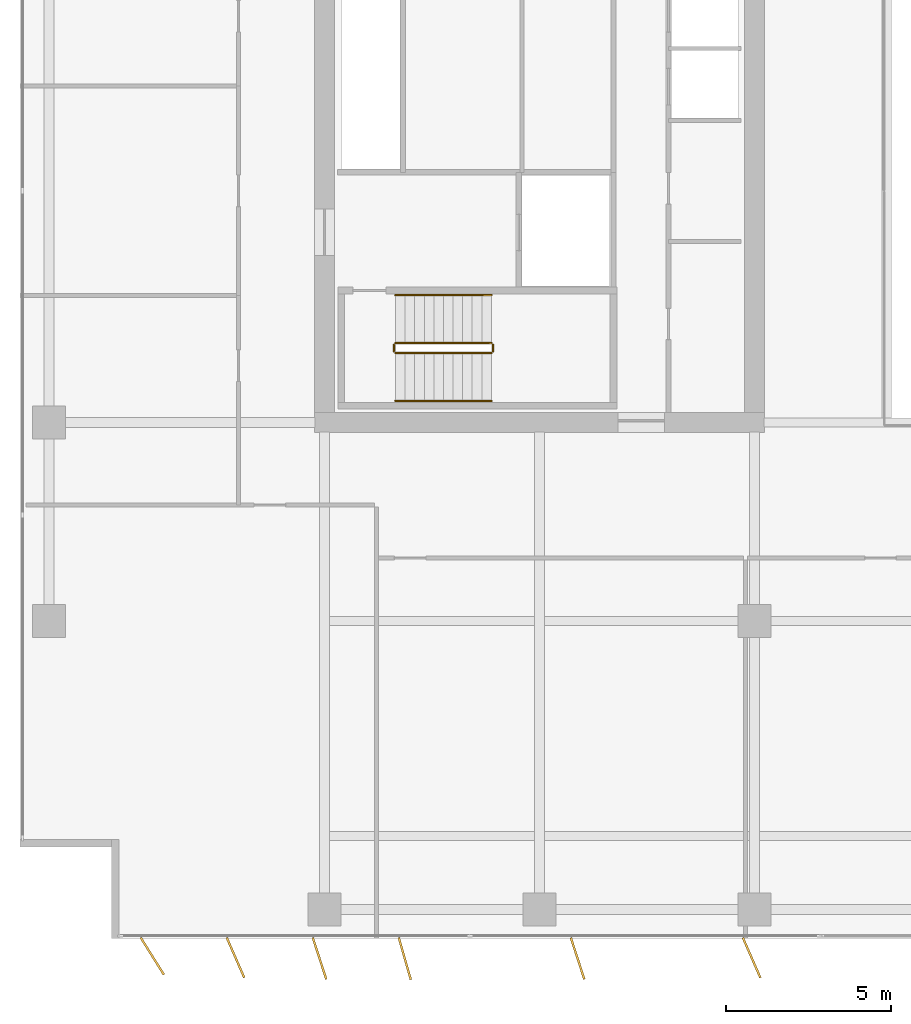
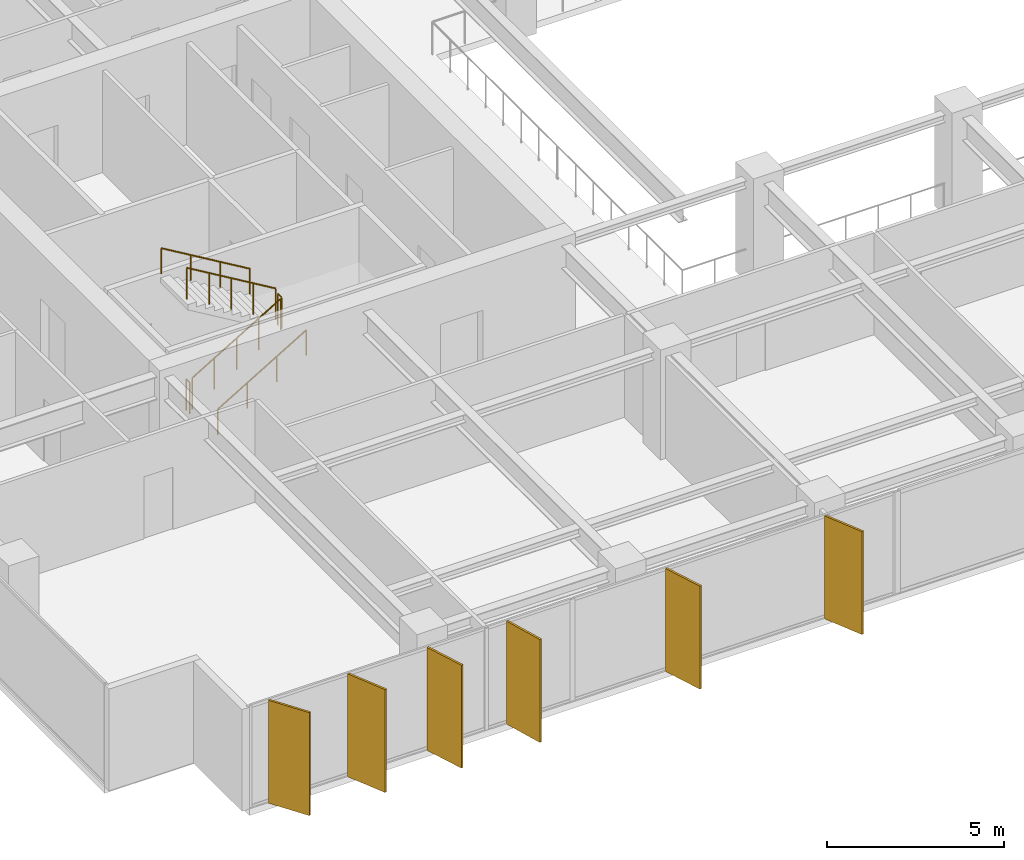
# One storey, part 19 of 22: 6 railings, 6 shading devices.
"""IFC4 building model written with IfcOpenShell, lengths in metres."""

from ifc_helpers import new_model, si_unit, direction, frame, origin, origin_2d, place, context, subcontext, project, spatial, rectangle, circle, extrude, material, layer, layer_set, type_object, element, save


model = new_model("IFC4")

# Units and contexts
model_context = context("Model", 3, precision=1e-05, world=origin(), true_north=direction((0.0, 1.0)))
body_context = subcontext(model_context, "Body", "Model", "MODEL_VIEW")
ifc_project = project(units=[si_unit("LENGTHUNIT", "METRE"), si_unit("AREAUNIT", "SQUARE_METRE"), si_unit("VOLUMEUNIT", "CUBIC_METRE"), si_unit("PLANEANGLEUNIT", "RADIAN"), si_unit("MASSUNIT", "GRAM", prefix="KILO")], contexts=[model_context])

# Site, building, storey
site_placement = place(None, origin())
site = spatial("IfcSite", under=ifc_project, at=site_placement, CompositionType="ELEMENT")
building_placement = place(site_placement, origin())
building = spatial("IfcBuilding", under=site, at=building_placement, Name="Putna Gate Headquarters", CompositionType="ELEMENT")
storey_placement = place(building_placement, frame((0.0, 0.0, 193.60009765625)))
storey = spatial("IfcBuildingStorey", under=building, at=storey_placement, Name="L48", CompositionType="ELEMENT", Elevation=193.60009765625)

# Railings
ifc_material_1 = material(Name="Powder-coated steel stair guardrail", Category="steel")
railing_type_1 = type_object("IfcRailingType", Name="RAIL-STAIR-GUARD-1100", PredefinedType="GUARDRAIL", material=ifc_material_1)
railing_1_placement = place(storey_placement, frame((15.14990234375, 21.10009765625, 0.172607421875)))
element("IfcRailing", 1, at=railing_1_placement, inside=storey, type_object=railing_type_1, Name="L48 ST1 stair guard 1", PredefinedType="GUARDRAIL", context=body_context, shape_type="SweptSolid", body=[
    extrude(circle(Radius=0.02392578125, at=origin_2d()), frame((0.0, 0.0, 1.076171875), z_axis=(0.859160404282, 0.0, 0.51170636083), x_axis=(0.0, 1.0, 0.0)), (0.0, 0.0, 1.0), 3.37548828125),
    extrude(circle(Radius=0.02099609375, at=origin_2d()), origin(), (0.0, 0.0, 1.0), 1.052001953125),
    extrude(circle(Radius=0.02099609375, at=origin_2d()), frame((0.72509765625, 0.0, 0.431884765625)), (0.0, 0.0, 1.0), 1.052001953125),
    extrude(circle(Radius=0.02099609375, at=origin_2d()), frame((1.4501953125, 0.0, 0.86376953125)), (0.0, 0.0, 1.0), 1.052001953125),
    extrude(circle(Radius=0.02099609375, at=origin_2d()), frame((2.175048828125, 0.0, 1.29541015625)), (0.0, 0.0, 1.0), 1.052001953125),
    extrude(circle(Radius=0.02099609375, at=origin_2d()), frame((2.900146484375, 0.0, 1.727294921875)), (0.0, 0.0, 1.0), 1.052001953125),
])
railing_2_placement = place(storey_placement, frame((18.10009765625, 21.14990234375, 1.89990234375)))
element("IfcRailing", 2, at=railing_2_placement, inside=storey, type_object=railing_type_1, Name="L48 ST1 stair guard 2", PredefinedType="GUARDRAIL", context=body_context, shape_type="SweptSolid", body=[
    extrude(circle(Radius=0.02392578125, at=origin_2d()), frame((0.0, 0.0, 1.076171875), z_axis=(0.0, 1.0, 0.0), x_axis=(-1.0, 0.0, 0.0)), (0.0, 0.0, 1.0), 0.2001953125),
    extrude(circle(Radius=0.02099609375, at=origin_2d()), origin(), (0.0, 0.0, 1.0), 1.052001953125),
    extrude(circle(Radius=0.02099609375, at=origin_2d()), frame((0.0, 0.2001953125, 0.0)), (0.0, 0.0, 1.0), 1.052001953125),
])
railing_3_placement = place(storey_placement, frame((18.050048828125, 21.39990234375, 2.072509765625)))
element("IfcRailing", 3, at=railing_3_placement, inside=storey, type_object=railing_type_1, Name="L48 ST1 stair guard 3", PredefinedType="GUARDRAIL", context=body_context, shape_type="SweptSolid", body=[
    extrude(circle(Radius=0.02392578125, at=origin_2d()), frame((0.0, 0.0, 1.076171875), z_axis=(-0.859160404282, 0.0, 0.51170636083), x_axis=(0.0, -1.0, 0.0)), (0.0, 0.0, 1.0), 3.37548828125),
    extrude(circle(Radius=0.02099609375, at=origin_2d()), origin(), (0.0, 0.0, 1.0), 1.052001953125),
    extrude(circle(Radius=0.02099609375, at=origin_2d()), frame((-0.72509765625, 0.0, 0.431884765625)), (0.0, 0.0, 1.0), 1.052001953125),
    extrude(circle(Radius=0.02099609375, at=origin_2d()), frame((-1.4501953125, 0.0, 0.86376953125)), (0.0, 0.0, 1.0), 1.052001953125),
    extrude(circle(Radius=0.02099609375, at=origin_2d()), frame((-2.175048828125, 0.0, 1.29541015625)), (0.0, 0.0, 1.0), 1.052001953125),
    extrude(circle(Radius=0.02099609375, at=origin_2d()), frame((-2.900146484375, 0.0, 1.727294921875)), (0.0, 0.0, 1.0), 1.052001953125),
])
railing_4_placement = place(storey_placement, frame((15.10009765625, 21.14990234375, 0.0)))
element("IfcRailing", 4, at=railing_4_placement, inside=storey, type_object=railing_type_1, Name="L48 ST1 stair guard 4", PredefinedType="GUARDRAIL", context=body_context, shape_type="SweptSolid", body=[
    extrude(circle(Radius=0.02392578125, at=origin_2d()), frame((0.0, 0.0, 1.076171875), z_axis=(0.0, 1.0, 0.0), x_axis=(-1.0, 0.0, 0.0)), (0.0, 0.0, 1.0), 0.2001953125),
    extrude(circle(Radius=0.02099609375, at=origin_2d()), origin(), (0.0, 0.0, 1.0), 1.052001953125),
    extrude(circle(Radius=0.02099609375, at=origin_2d()), frame((0.0, 0.2001953125, 0.0)), (0.0, 0.0, 1.0), 1.052001953125),
])
ifc_material_2 = material(Name="Brushed stainless steel handrail", Category="steel")
railing_type_2 = type_object("IfcRailingType", Name="RAIL-STAIR-HAND-900", PredefinedType="HANDRAIL", material=ifc_material_2)
railing_5_placement = place(storey_placement, frame((15.14990234375, 19.64990234375, 0.172607421875)))
element("IfcRailing", 5, at=railing_5_placement, inside=storey, type_object=railing_type_2, Name="L48 ST1 stair handrail 1", PredefinedType="HANDRAIL", context=body_context, shape_type="SweptSolid", body=[
    extrude(circle(Radius=0.02392578125, at=origin_2d()), frame((0.0, 0.0, 0.8759765625), z_axis=(0.859160404282, 0.0, 0.51170636083), x_axis=(0.0, 1.0, 0.0)), (0.0, 0.0, 1.0), 3.37548828125),
    extrude(circle(Radius=0.02099609375, at=origin_2d()), origin(), (0.0, 0.0, 1.0), 0.851806640625),
    extrude(circle(Radius=0.02099609375, at=origin_2d()), frame((0.966796875, 0.0, 0.57568359375)), (0.0, 0.0, 1.0), 0.851806640625),
    extrude(circle(Radius=0.02099609375, at=origin_2d()), frame((1.933349609375, 0.0, 1.151611328125)), (0.0, 0.0, 1.0), 0.851806640625),
    extrude(circle(Radius=0.02099609375, at=origin_2d()), frame((2.900146484375, 0.0, 1.727294921875)), (0.0, 0.0, 1.0), 0.851806640625),
])
railing_6_placement = place(storey_placement, frame((18.050048828125, 22.85009765625, 2.072509765625)))
element("IfcRailing", 6, at=railing_6_placement, inside=storey, type_object=railing_type_2, Name="L48 ST1 stair handrail 2", PredefinedType="HANDRAIL", context=body_context, shape_type="SweptSolid", body=[
    extrude(circle(Radius=0.02392578125, at=origin_2d()), frame((0.0, 0.0, 0.8759765625), z_axis=(-0.859160404282, 0.0, 0.51170636083), x_axis=(0.0, -1.0, 0.0)), (0.0, 0.0, 1.0), 3.37548828125),
    extrude(circle(Radius=0.02099609375, at=origin_2d()), origin(), (0.0, 0.0, 1.0), 0.851806640625),
    extrude(circle(Radius=0.02099609375, at=origin_2d()), frame((-0.966796875, 0.0, 0.57568359375)), (0.0, 0.0, 1.0), 0.851806640625),
    extrude(circle(Radius=0.02099609375, at=origin_2d()), frame((-1.933349609375, 0.0, 1.151611328125)), (0.0, 0.0, 1.0), 0.851806640625),
    extrude(circle(Radius=0.02099609375, at=origin_2d()), frame((-2.900146484375, 0.0, 1.727294921875)), (0.0, 0.0, 1.0), 0.851806640625),
])

# Shading devices
ifc_material_3 = material(Name="Anodised architectural bronze aluminium fin", Category="aluminium")
ifc_layer = layer(ifc_material_3, 0.06494140625)
ifc_layer_set = layer_set([ifc_layer], Name="Anodised architectural bronze aluminium fin")
shading_device_type = type_object("IfcShadingDeviceType", Name="SHADE-BRONZE-FIN-1320", PredefinedType="USERDEFINED", material=ifc_layer_set)
for number, where, z_axis, x_axis, name in (
    (7, (7.80029296875, 2.865478515625, -0.02001953125), (0.0, 0.0, 1.0), (0.530659123936, -0.847585331506, 0.0), "L48 Bronze Vertical Shading Fin S1"),
    (8, (10.314453125, 2.8203125, -0.02001953125), (0.0, 0.0, 1.0), (0.400668879095, -0.916222925562, 0.0), "L48 Bronze Vertical Shading Fin S2"),
    (9, (12.853759765625, 2.797119140625, -0.02001953125), (0.0, 0.0, 1.0), (0.308684994204, -0.951164325631, 0.0), "L48 Bronze Vertical Shading Fin S3"),
    (10, (15.431884765625, 2.79052734375, -0.02001953125), (0.0, 0.0, 1.0), (0.275637355817, -0.961261695938, 0.0), "L48 Bronze Vertical Shading Fin S4"),
    (11, (20.65380859375, 2.797119140625, -0.02001953125), (0.0, 0.0, 1.0), (0.308684994204, -0.951164325631, 0.0), "L48 Bronze Vertical Shading Fin S5"),
    (12, (25.914306640625, 2.8203125, -0.02001953125), (0.0, 0.0, 1.0), (0.400668879095, -0.916222925562, 0.0), "L48 Bronze Vertical Shading Fin S6"),
):
    element("IfcShadingDevice", number, at=place(storey_placement, frame(where, z_axis=z_axis, x_axis=x_axis)), inside=storey, type_object=shading_device_type, Name=name, ObjectType="FIN", PredefinedType="USERDEFINED", context=body_context, shape_type="SweptSolid", body=[
        extrude(rectangle(XDim=1.320068359375, YDim=0.06494140625, at=origin_2d()), origin(), (0.0, 0.0, 1.0), 3.56005859375),
    ])

save(model, "model.ifc")
